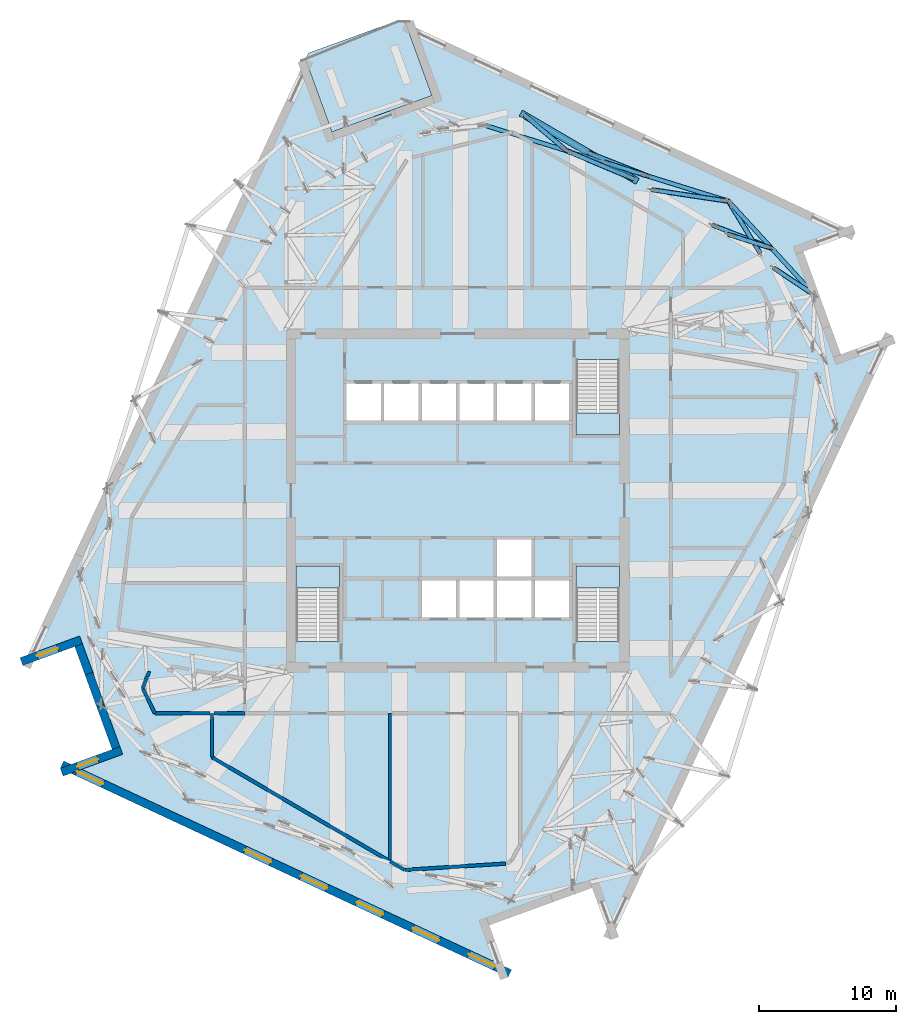
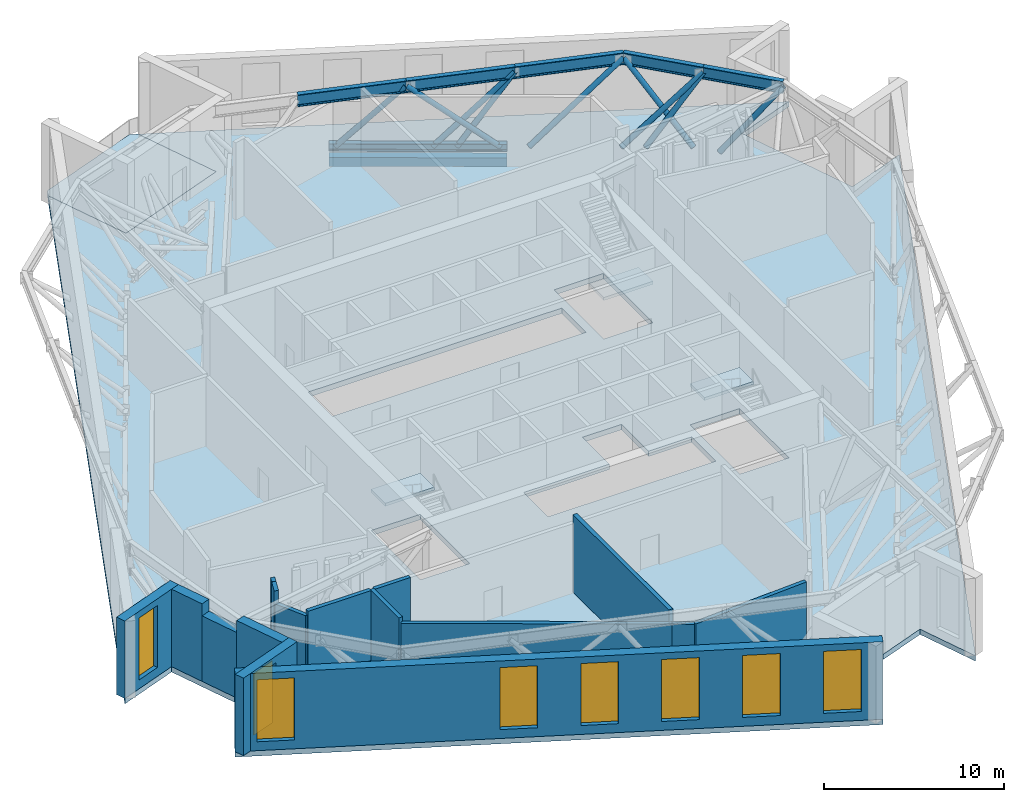
# One storey, part 4 of 15: 16 walls, 9 members, 8 windows, 7 beams, 5 slabs, 8 openings, 3 elements without a shape of their own.
"""IFC4 building model written with IfcOpenShell, lengths in metres."""

from ifc_helpers import new_model, si_unit, direction, frame, frame_2d, origin, origin_2d, place, context, subcontext, project, spatial, polyline, rectangle, hollow_circle, i_section, outline, extrude, material, layer, layer_set, material_profile, profile_set, type_object, element, fill, aggregate, save


model = new_model("IFC4")

# Units and contexts
model_context = context("Model", 3, precision=1e-05, world=origin(), true_north=direction((0.0, 1.0)))
body_context = subcontext(model_context, "Body", "Model", "MODEL_VIEW")
ifc_project = project(units=[si_unit("LENGTHUNIT", "METRE"), si_unit("AREAUNIT", "SQUARE_METRE"), si_unit("VOLUMEUNIT", "CUBIC_METRE"), si_unit("PLANEANGLEUNIT", "RADIAN"), si_unit("MASSUNIT", "GRAM", prefix="KILO")], contexts=[model_context])

# Site, building, storey
site_placement = place(None, origin())
site = spatial("IfcSite", under=ifc_project, at=site_placement, CompositionType="ELEMENT")
building_placement = place(site_placement, origin())
building = spatial("IfcBuilding", under=site, at=building_placement, Name="Dilmun Exchange Tower", CompositionType="ELEMENT")
storey_placement = place(building_placement, frame((0.0, 0.0, 290.89990234375)))
storey = spatial("IfcBuildingStorey", under=building, at=storey_placement, Name="L69", CompositionType="ELEMENT", Elevation=290.89990234375)

# Beams
ifc_material_1 = material(Name="Concrete C40/50", Category="concrete")
ifc_material_profile_1 = material_profile(ifc_material_1, rectangle(XDim=0.5, YDim=0.60009765625, at=origin_2d()), Name="500 x 600")
ifc_profile_set_1 = profile_set([ifc_material_profile_1], Name="Concrete C40/50")
beam_type_1 = type_object("IfcBeamType", Name="RC ring beam 500 x 600 C40/50", PredefinedType="SPANDREL", material=ifc_profile_set_1)
beam_1_placement = place(storey_placement, frame((13.1337890625, 23.3076171875, -0.659912109375), z_axis=(-0.863343838609, 0.504616107884, 0.0), x_axis=(-0.504616107884, -0.863343838609, 0.0)))
element("IfcBeam", 1, at=beam_1_placement, inside=storey, type_object=beam_type_1, Name="Ring beam 15", PredefinedType="SPANDREL", context=body_context, shape_type="SweptSolid", body=[
    extrude(rectangle(XDim=0.5, YDim=0.60009765625, at=origin_2d()), origin(), (0.0, 0.0, 1.0), 9.87841796875),
])
ifc_material_2 = material(Name="Steel S355", Category="steel")
ifc_material_profile_2 = material_profile(ifc_material_2, i_section(OverallWidth=0.300048828125, OverallDepth=0.5, WebThickness=0.014404296875, FlangeThickness=0.028076171875, FilletRadius=0.027099609375, at=origin_2d()), Name="HEB 500")
ifc_profile_set_2 = profile_set([ifc_material_profile_2], Name="Steel S355")
beam_type_2 = type_object("IfcBeamType", Name="belt bottom chord HEB 500", PredefinedType="BEAM", material=ifc_profile_set_2)
beam_2_placement = place(storey_placement, frame((13.1337890625, 23.3076171875, 0.25), z_axis=(-0.863343838609, 0.504616107884, 0.0), x_axis=(-0.504616107884, -0.863343838609, 0.0)))
element("IfcBeam", 2, at=beam_2_placement, inside=storey, type_object=beam_type_2, Name="Belt bottom chord 15", PredefinedType="BEAM", context=body_context, shape_type="SweptSolid", body=[
    extrude(i_section(OverallWidth=0.300048828125, OverallDepth=0.5, WebThickness=0.014404296875, FlangeThickness=0.028076171875, FilletRadius=0.027099609375, at=origin_2d()), origin(), (0.0, 0.0, 1.0), 9.87841796875),
])
ifc_material_profile_3 = material_profile(ifc_material_2, i_section(OverallWidth=0.302978515625, OverallDepth=0.81396484375, WebThickness=0.02099609375, FlangeThickness=0.0400390625, FilletRadius=0.030029296875, at=origin_2d()), Name="HEM 800")
ifc_profile_set_3 = profile_set([ifc_material_profile_3], Name="Steel S355")
beam_type_3 = type_object("IfcBeamType", Name="transfer chord HEM 800", PredefinedType="BEAM", material=ifc_profile_set_3)
for number, where, z_axis, x_axis, name in (
    (3, (26.06005859375, 14.9951171875, 4.843017578125), (-0.675555926759, 0.737308747961, 0.0), (-0.737308747961, -0.675555926759, 0.0), "Transfer chord 25"),
    (4, (22.91650390625, 18.426025390625, 4.843017578125), (-0.675555926759, 0.737308747961, 0.0), (-0.737308747961, -0.675555926759, 0.0), "Transfer chord 26"),
):
    element("IfcBeam", number, at=place(storey_placement, frame(where, z_axis=z_axis, x_axis=x_axis)), inside=storey, type_object=beam_type_3, Name=name, PredefinedType="BEAM", context=body_context, shape_type="SweptSolid", body=[
        extrude(i_section(OverallWidth=0.302978515625, OverallDepth=0.81396484375, WebThickness=0.02099609375, FlangeThickness=0.0400390625, FilletRadius=0.030029296875, at=origin_2d()), origin(), (0.0, 0.0, 1.0), 4.6533203125),
    ])
for number, where, z_axis, x_axis, name in (
    (5, (19.77294921875, 21.85693359375, 4.843017578125), (-0.954710669436, 0.297535775436, 0.0), (-0.297535775436, -0.954710669436, 0.0), "Transfer chord 27"),
    (6, (13.865478515625, 23.697998046875, 4.843017578125), (-0.954710669436, 0.297535775436, 0.0), (-0.297535775436, -0.954710669436, 0.0), "Transfer chord 28"),
):
    element("IfcBeam", number, at=place(storey_placement, frame(where, z_axis=z_axis, x_axis=x_axis)), inside=storey, type_object=beam_type_3, Name=name, PredefinedType="BEAM", context=body_context, shape_type="SweptSolid", body=[
        extrude(i_section(OverallWidth=0.302978515625, OverallDepth=0.81396484375, WebThickness=0.02099609375, FlangeThickness=0.0400390625, FilletRadius=0.030029296875, at=origin_2d()), origin(), (0.0, 0.0, 1.0), 6.187744140625),
    ])
beam_3_placement = place(storey_placement, frame((7.9580078125, 25.5390625, 4.843017578125), z_axis=(-0.95473730618, 0.297450291961, 0.0), x_axis=(-0.297450291961, -0.95473730618, 0.0)))
element("IfcBeam", 7, at=beam_3_placement, inside=storey, type_object=beam_type_3, Name="Transfer chord 29", PredefinedType="BEAM", context=body_context, shape_type="SweptSolid", body=[
    extrude(i_section(OverallWidth=0.302978515625, OverallDepth=0.81396484375, WebThickness=0.02099609375, FlangeThickness=0.0400390625, FilletRadius=0.030029296875, at=origin_2d()), origin(), (0.0, 0.0, 1.0), 6.18701171875),
])

# Members
ifc_material_profile_4 = material_profile(ifc_material_2, hollow_circle(Radius=0.161865234375, WallThickness=0.01611328125, at=origin_2d()), Name="CHS 323.9x16")
ifc_profile_set_4 = profile_set([ifc_material_profile_4], Name="Steel S355")
member_type = type_object("IfcMemberType", Name="truss diagonal CHS 323.9x16", PredefinedType="BRACE", material=ifc_profile_set_4)
member_1_placement = place(storey_placement, frame((26.06005859375, 14.9951171875, 4.843017578125), z_axis=(-0.508881259394, 0.338861582549, -0.791336016943), x_axis=(-0.554255560991, -0.832346546284, 0.0)))
element("IfcMember", 8, at=member_1_placement, inside=storey, type_object=member_type, Name="Truss diagonal 49", PredefinedType="BRACE", context=body_context, shape_type="SweptSolid", body=[
    extrude(hollow_circle(Radius=0.161865234375, WallThickness=0.01611328125, at=origin_2d()), origin(), (0.0, 0.0, 1.0), 5.80419921875),
])
member_2_placement = place(storey_placement, frame((22.91650390625, 18.426025390625, 4.843017578125), z_axis=(-0.554049104328, 0.175613971705, -0.813750160022), x_axis=(-0.302149847256, -0.953260441749, 0.0)))
element("IfcMember", 9, at=member_2_placement, inside=storey, type_object=member_type, Name="Truss diagonal 51", PredefinedType="BRACE", context=body_context, shape_type="SweptSolid", body=[
    extrude(hollow_circle(Radius=0.161865234375, WallThickness=0.01611328125, at=origin_2d()), origin(), (0.0, 0.0, 1.0), 5.644287109375),
])
member_3_placement = place(storey_placement, frame((22.91650390625, 18.426025390625, 4.843017578125), z_axis=(-0.65987202399, 0.257073500787, -0.706032667197), x_axis=(-0.363006251544, -0.93178670378, 0.0)))
element("IfcMember", 10, at=member_3_placement, inside=storey, type_object=member_type, Name="Truss diagonal 52", PredefinedType="BRACE", context=body_context, shape_type="SweptSolid", body=[
    extrude(hollow_circle(Radius=0.161865234375, WallThickness=0.01611328125, at=origin_2d()), origin(), (0.0, 0.0, 1.0), 6.50537109375),
])
member_4_placement = place(storey_placement, frame((19.77294921875, 21.85693359375, 4.843017578125), z_axis=(0.360168853559, -0.591990666198, -0.72098921494), x_axis=(0.854309605547, 0.51976446384, 0.0)))
element("IfcMember", 11, at=member_4_placement, inside=storey, type_object=member_type, Name="Truss diagonal 53", PredefinedType="BRACE", context=body_context, shape_type="SweptSolid", body=[
    extrude(hollow_circle(Radius=0.161865234375, WallThickness=0.01611328125, at=origin_2d()), origin(), (0.0, 0.0, 1.0), 6.370361328125),
])
member_5_placement = place(storey_placement, frame((19.77294921875, 21.85693359375, 4.843017578125), z_axis=(-0.76718776685, 0.114496123497, -0.631120882319), x_axis=(-0.147606565046, -0.989046157646, 0.0)))
element("IfcMember", 12, at=member_5_placement, inside=storey, type_object=member_type, Name="Truss diagonal 54", PredefinedType="BRACE", context=body_context, shape_type="SweptSolid", body=[
    extrude(hollow_circle(Radius=0.161865234375, WallThickness=0.01611328125, at=origin_2d()), origin(), (0.0, 0.0, 1.0), 7.277587890625),
])
member_6_placement = place(storey_placement, frame((13.865478515625, 23.697998046875, 4.843017578125), z_axis=(-0.55282159045, 0.178100631363, -0.814044503845), x_axis=(-0.306645771842, -0.951823707738, 0.0)))
element("IfcMember", 13, at=member_6_placement, inside=storey, type_object=member_type, Name="Truss diagonal 55", PredefinedType="BRACE", context=body_context, shape_type="SweptSolid", body=[
    extrude(hollow_circle(Radius=0.161865234375, WallThickness=0.01611328125, at=origin_2d()), origin(), (0.0, 0.0, 1.0), 5.642333984375),
])
member_7_placement = place(storey_placement, frame((13.865478515625, 23.697998046875, 4.843017578125), z_axis=(-0.65880767969, 0.259281176275, -0.706219309288), x_axis=(-0.366219898743, -0.930528336895, 0.0)))
element("IfcMember", 14, at=member_7_placement, inside=storey, type_object=member_type, Name="Truss diagonal 56", PredefinedType="BRACE", context=body_context, shape_type="SweptSolid", body=[
    extrude(hollow_circle(Radius=0.161865234375, WallThickness=0.01611328125, at=origin_2d()), origin(), (0.0, 0.0, 1.0), 6.503662109375),
])
member_8_placement = place(storey_placement, frame((7.9580078125, 25.5390625, 4.843017578125), z_axis=(-0.498834259148, 0.422359748935, -0.75682007398), x_axis=(-0.646182242942, -0.763183142441, 0.0)))
element("IfcMember", 15, at=member_8_placement, inside=storey, type_object=member_type, Name="Truss diagonal 57", PredefinedType="BRACE", context=body_context, shape_type="SweptSolid", body=[
    extrude(hollow_circle(Radius=0.161865234375, WallThickness=0.01611328125, at=origin_2d()), origin(), (0.0, 0.0, 1.0), 6.06884765625),
])
member_9_placement = place(storey_placement, frame((7.9580078125, 25.5390625, 4.843017578125), z_axis=(0.694407176955, -0.292240318444, -0.657566931095), x_axis=(0.387897290921, 0.9217026048, 0.0)))
element("IfcMember", 16, at=member_9_placement, inside=storey, type_object=member_type, Name="Truss diagonal 58", PredefinedType="BRACE", context=body_context, shape_type="SweptSolid", body=[
    extrude(hollow_circle(Radius=0.161865234375, WallThickness=0.01611328125, at=origin_2d()), origin(), (0.0, 0.0, 1.0), 6.98486328125),
])

# Stair, slab
stair_type = type_object("IfcStairType", Name="Exit stair 1500 half-turn", PredefinedType="HALF_TURN_STAIR", material=ifc_material_1)
stair_1_placement = place(storey_placement, origin())
stair_1 = element("IfcStair", 17, at=stair_1_placement, inside=storey, type_object=stair_type, Name="L69 Protected exit stair ST1", PredefinedType="HALF_TURN_STAIR")
ifc_layer_1 = layer(ifc_material_1, 0.199951171875)
ifc_layer_set_1 = layer_set([ifc_layer_1], Name="Concrete C40/50")
slab_type_1 = type_object("IfcSlabType", Name="Exit stair landing 200", PredefinedType="LANDING", material=ifc_layer_set_1)
slab_1_placement = place(storey_placement, frame((0.0, 0.0, 2.60009765625)))
slab_1 = element("IfcSlab", 18, at=slab_1_placement, type_object=slab_type_1, Name="ST1 landing 1", PredefinedType="LANDING", context=body_context, shape_type="SweptSolid", body=[
    extrude(outline(polyline([(8.64990234375, 6.3798828125), (8.64990234375, 4.800048828125), (11.800048828125, 4.800048828125), (11.800048828125, 6.3798828125), (8.64990234375, 6.3798828125)])), origin(), (0.0, 0.0, 1.0), 0.199951171875),
])
aggregate(stair_1, [slab_1])

stair_2_placement = place(storey_placement, origin())
stair_2 = element("IfcStair", 19, at=stair_2_placement, inside=storey, type_object=stair_type, Name="L69 Protected exit stair ST2", PredefinedType="HALF_TURN_STAIR")
slab_2_placement = place(storey_placement, frame((0.0, 0.0, 2.60009765625)))
slab_2 = element("IfcSlab", 20, at=slab_2_placement, type_object=slab_type_1, Name="ST2 landing 1", PredefinedType="LANDING", context=body_context, shape_type="SweptSolid", body=[
    extrude(outline(polyline([(-8.64990234375, -6.3798828125), (-8.64990234375, -4.800048828125), (-11.800048828125, -4.800048828125), (-11.800048828125, -6.3798828125), (-8.64990234375, -6.3798828125)])), origin(), (0.0, 0.0, 1.0), 0.199951171875),
])
aggregate(stair_2, [slab_2])

stair_3_placement = place(storey_placement, origin())
stair_3 = element("IfcStair", 21, at=stair_3_placement, inside=storey, type_object=stair_type, Name="L69 Protected exit stair ST3", PredefinedType="HALF_TURN_STAIR")
slab_3_placement = place(storey_placement, frame((0.0, 0.0, 2.60009765625)))
slab_3 = element("IfcSlab", 22, at=slab_3_placement, type_object=slab_type_1, Name="ST3 landing 1", PredefinedType="LANDING", context=body_context, shape_type="SweptSolid", body=[
    extrude(outline(polyline([(11.800048828125, -6.3798828125), (11.800048828125, -4.800048828125), (8.64990234375, -4.800048828125), (8.64990234375, -6.3798828125), (11.800048828125, -6.3798828125)])), origin(), (0.0, 0.0, 1.0), 0.199951171875),
])
aggregate(stair_3, [slab_3])

# Slabs
ifc_layer_2 = layer(ifc_material_1, 0.360107421875)
ifc_layer_set_2 = layer_set([ifc_layer_2], Name="Concrete C40/50")
slab_type_2 = type_object("IfcSlabType", Name="RC floor slab 360", PredefinedType="FLOOR", material=ifc_layer_set_2)
slab_4_placement = place(storey_placement, frame((0.0, 0.0, -0.35986328125)))
element("IfcSlab", 23, at=slab_4_placement, inside=storey, type_object=slab_type_2, Name="Floor slab", PredefinedType="FLOOR", context=body_context, shape_type="SweptSolid", body=[
    extrude(outline(polyline([(25.239013671875, 18.18359375), (27.97509765625, 10.666015625), (31.767333984375, 12.04638671875), (11.191650390625, -32.078369140625), (9.811279296875, -28.286376953125), (2.2939453125, -31.0224609375), (3.674072265625, -34.814697265625), (-29.03125, -19.56396484375), (-25.239013671875, -18.18359375), (-27.97509765625, -10.666015625), (-31.767333984375, -12.04638671875), (-11.125244140625, 32.220703125), (-9.194091796875, 26.914794921875), (-1.885009765625, 29.574951171875), (-3.81640625, 34.880859375), (29.03125, 19.56396484375), (25.239013671875, 18.18359375)]), holes=[polyline([(-8.64990234375, -4.800048828125), (-11.800048828125, -4.800048828125), (-11.800048828125, -10.294921875), (-8.64990234375, -10.294921875), (-8.64990234375, -4.800048828125)]), polyline([(11.800048828125, -4.800048828125), (8.64990234375, -4.800048828125), (8.64990234375, -10.294921875), (11.800048828125, -10.294921875), (11.800048828125, -4.800048828125)]), polyline([(2.875, -5.85009765625), (-2.625, -5.85009765625), (-2.625, -8.550048828125), (8.125, -8.550048828125), (8.125, -5.85009765625), (5.375, -5.85009765625), (5.375, -2.85009765625), (2.875, -2.85009765625), (2.875, -5.85009765625)]), polyline([(8.125, 5.85009765625), (8.125, 8.550048828125), (-8.125, 8.550048828125), (-8.125, 5.85009765625), (8.125, 5.85009765625)]), polyline([(8.64990234375, 10.294921875), (8.64990234375, 4.800048828125), (11.800048828125, 4.800048828125), (11.800048828125, 10.294921875), (8.64990234375, 10.294921875)])]), origin(), (0.0, 0.0, 1.0), 0.35986328125),
])
ifc_layer_3 = layer(ifc_material_1, 0.300048828125)
ifc_layer_set_3 = layer_set([ifc_layer_3], Name="Concrete C40/50")
slab_type_3 = type_object("IfcSlabType", Name="RC garden terrace slab 300", PredefinedType="FLOOR", material=ifc_layer_set_3)
slab_5_placement = place(storey_placement, frame((0.0, 0.0, -0.2998046875)))
element("IfcSlab", 24, at=slab_5_placement, inside=storey, type_object=slab_type_3, Name="Garden terrace slab", PredefinedType="FLOOR", context=body_context, shape_type="SweptSolid", body=[
    extrude(outline(polyline([(-9.194091796875, 26.914794921875), (-11.125244140625, 32.220703125), (-10.9140625, 32.673583984375), (-4.269287109375, 35.09228515625), (-3.81640625, 34.880859375), (-1.885009765625, 29.574951171875), (-9.194091796875, 26.914794921875)])), origin(), (0.0, 0.0, 1.0), 0.2998046875),
])

# Walls
ifc_material_3 = material(Name="Concrete C32/40", Category="concrete")
ifc_layer_4 = layer(ifc_material_3, 0.25)
ifc_layer_set_4 = layer_set([ifc_layer_4], Name="Concrete C32/40")
wall_type_1 = type_object("IfcWallType", Name="Plant room wall 250", PredefinedType="PARTITIONING", material=ifc_layer_set_4)
wall_1_placement = place(storey_placement, frame((-4.949951171875, -26.353515625, 0.0), z_axis=(0.0, 0.0, 1.0), x_axis=(0.86331523577, -0.504665041079, 0.0)))
element("IfcWall", 25, at=wall_1_placement, inside=storey, type_object=wall_type_1, Name="L69 plant room wall 01", PredefinedType="PARTITIONING", context=body_context, shape_type="SweptSolid", body=[
    extrude(rectangle(XDim=1.242431640625, YDim=0.25, at=frame_2d((0.62109375, 0.0))), origin(), (0.0, 0.0, 1.0), 4.416015625),
])
wall_2_placement = place(storey_placement, frame((-3.87158203125, -26.97998046875, 0.0), z_axis=(0.0, 0.0, 1.0), x_axis=(0.998058754216, 0.062279395737, 0.0)))
element("IfcWall", 26, at=wall_2_placement, inside=storey, type_object=wall_type_1, Name="L69 plant room wall 02", PredefinedType="PARTITIONING", context=body_context, shape_type="SweptSolid", body=[
    extrude(rectangle(XDim=7.377685546875, YDim=0.25, at=frame_2d((3.68896484375, 0.0))), origin(), (0.0, 0.0, 1.0), 4.416015625),
])
wall_3_placement = place(storey_placement, frame((-17.949951171875, -18.7548828125, 0.0), z_axis=(0.0, 0.0, 1.0), x_axis=(0.863332668663, -0.504635217974, 0.0)))
element("IfcWall", 27, at=wall_3_placement, inside=storey, type_object=wall_type_1, Name="L69 plant room wall 03", PredefinedType="PARTITIONING", context=body_context, shape_type="SweptSolid", body=[
    extrude(rectangle(XDim=15.052734375, YDim=0.25, at=frame_2d((7.5263671875, 0.0))), origin(), (0.0, 0.0, 1.0), 4.416015625),
])
wall_4_placement = place(storey_placement, frame((-4.949951171875, -26.202880859375, 0.0), z_axis=(0.0, 0.0, 1.0), x_axis=(0.0, 1.0, 0.0)))
element("IfcWall", 28, at=wall_4_placement, inside=storey, type_object=wall_type_1, Name="L69 plant room wall 04", PredefinedType="PARTITIONING", context=body_context, shape_type="SweptSolid", body=[
    extrude(rectangle(XDim=10.65283203125, YDim=0.25, at=frame_2d((5.326416015625, 0.0))), origin(), (0.0, 0.0, 1.0), 5.25),
])
wall_5_placement = place(storey_placement, frame((-17.949951171875, -18.7451171875, 0.0), z_axis=(0.0, 0.0, 1.0), x_axis=(0.0, 1.0, 0.0)))
element("IfcWall", 29, at=wall_5_placement, inside=storey, type_object=wall_type_1, Name="L69 plant room wall 08", PredefinedType="PARTITIONING", context=body_context, shape_type="SweptSolid", body=[
    extrude(rectangle(XDim=3.195068359375, YDim=0.25, at=frame_2d((1.59765625, 0.0))), origin(), (0.0, 0.0, 1.0), 4.72998046875),
])
wall_6_placement = place(storey_placement, frame((-23.011474609375, -13.71337890625, 0.0), z_axis=(0.0, 0.0, 1.0), x_axis=(0.435448325816, -0.900213727703, 0.0)))
element("IfcWall", 30, at=wall_6_placement, inside=storey, type_object=wall_type_1, Name="L69 plant room wall 09", PredefinedType="PARTITIONING", context=body_context, shape_type="SweptSolid", body=[
    extrude(rectangle(XDim=2.040283203125, YDim=0.25, at=frame_2d((1.02001953125, 0.0))), origin(), (0.0, 0.0, 1.0), 4.43017578125),
])
wall_7_placement = place(storey_placement, frame((-22.111572265625, -15.550048828125, 0.0), z_axis=(0.0, 0.0, 1.0), x_axis=(1.0, 0.0, 0.0)))
element("IfcWall", 31, at=wall_7_placement, inside=storey, type_object=wall_type_1, Name="L69 plant room wall 10", PredefinedType="PARTITIONING", context=body_context, shape_type="SweptSolid", body=[
    extrude(rectangle(XDim=4.031494140625, YDim=0.25, at=frame_2d((2.015625, 0.0))), origin(), (0.0, 0.0, 1.0), 4.72998046875),
])
wall_8_placement = place(storey_placement, frame((-17.820068359375, -15.550048828125, 0.0), z_axis=(0.0, 0.0, 1.0), x_axis=(1.0, 0.0, 0.0)))
element("IfcWall", 32, at=wall_8_placement, inside=storey, type_object=wall_type_1, Name="L69 plant room wall 11", PredefinedType="PARTITIONING", context=body_context, shape_type="SweptSolid", body=[
    extrude(rectangle(XDim=2.27001953125, YDim=0.25, at=frame_2d((1.135009765625, 0.0))), origin(), (0.0, 0.0, 1.0), 4.72998046875),
])
wall_9_placement = place(storey_placement, frame((-23.0087890625, -13.70654296875, 0.0), z_axis=(0.0, 0.0, 1.0), x_axis=(0.35482835686, 0.934931461214, 0.0)))
element("IfcWall", 33, at=wall_9_placement, inside=storey, type_object=wall_type_1, Name="L69 plant room wall 17", PredefinedType="PARTITIONING", context=body_context, shape_type="SweptSolid", body=[
    extrude(rectangle(XDim=0.8876953125, YDim=0.25, at=frame_2d((0.44384765625, 0.0))), origin(), (0.0, 0.0, 1.0), 5.25),
])
wall_10_placement = place(storey_placement, frame((-22.689208984375, -12.864013671875, 0.0), z_axis=(0.0, 0.0, 1.0), x_axis=(0.354513380096, 0.935050941571, 0.0)))
element("IfcWall", 34, at=wall_10_placement, inside=storey, type_object=wall_type_1, Name="L69 plant room wall 23", PredefinedType="PARTITIONING", context=body_context, shape_type="SweptSolid", body=[
    extrude(rectangle(XDim=0.41796875, YDim=0.25, at=frame_2d((0.208984375, 0.0))), origin(), (0.0, 0.0, 1.0), 5.25),
])

# Wall, opening, window
ifc_material_4 = material(Name="Precast concrete C50/60", Category="concrete")
ifc_layer_5 = layer(ifc_material_4, 0.60009765625)
ifc_layer_set_5 = layer_set([ifc_layer_5], Name="Precast concrete C50/60")
wall_type_2 = type_object("IfcWallType", Name="Precast stone-clad wall 600", PredefinedType="STANDARD", material=ifc_layer_set_5)
wall_11_placement = place(storey_placement, frame((-31.8701171875, -11.764404296875, 0.0), z_axis=(0.0, 0.0, 1.0), x_axis=(0.939698052097, 0.342005220552, 0.0)))
wall_11 = element("IfcWall", 35, at=wall_11_placement, inside=storey, type_object=wall_type_2, Name="Facade wall L69-04", PredefinedType="STANDARD", context=body_context, shape_type="SweptSolid", body=[
    extrude(rectangle(XDim=4.6357421875, YDim=0.60009765625, at=frame_2d((2.31787109375, 0.0))), origin(), (0.0, 0.0, 1.0), 5.25),
])
opening_1_placement = place(wall_11_placement, frame((1.2177734375, 0.0, 0.60009765625)))
opening_1 = element("IfcOpeningElement", 36, at=opening_1_placement, cuts=wall_11, Name="Opening LV160-420", PredefinedType="OPENING", context=body_context, shape_type="SweptSolid", body=[
    extrude(rectangle(XDim=1.60009765625, YDim=4.199951171875, at=frame_2d((0.800048828125, 2.10009765625))), frame((0.0, 0.31005859375, 0.0), z_axis=(0.0, -1.0, 0.0), x_axis=(1.0, 0.0, 0.0)), (0.0, 0.0, 1.0), 0.6201171875),
])
ifc_material_5 = material(Name="Anodised aluminium louvre blades with sand trap", Category="aluminium")
window_type_1 = type_object("IfcWindowType", Name="Plant louvre 1600 x 4200", PartitioningType="SINGLE_PANEL", PredefinedType="USERDEFINED", material=ifc_material_5)
window_1_placement = place(opening_1_placement, origin())
window_1 = element("IfcWindow", 37, at=window_1_placement, inside=storey, type_object=window_type_1, Name="Plant louvre 5.1", ObjectType="LOUVRE", OverallHeight=4.199951171875, OverallWidth=1.60009765625, PartitioningType="SINGLE_PANEL", PredefinedType="USERDEFINED", context=body_context, shape_type="SweptSolid", body=[
    extrude(rectangle(XDim=1.60009765625, YDim=4.199951171875, at=frame_2d((0.800048828125, 2.10009765625))), frame((0.0, 0.030029296875, 0.0), z_axis=(0.0, -1.0, 0.0), x_axis=(1.0, 0.0, 0.0)), (0.0, 0.0, 1.0), 0.06005859375),
])
fill(opening_1, window_1)

# Walls
wall_12_placement = place(storey_placement, frame((-27.693359375, -10.5634765625, 0.0), z_axis=(0.0, 0.0, 1.0), x_axis=(0.342035108526, -0.939687173763, 0.0)))
element("IfcWall", 38, at=wall_12_placement, inside=storey, type_object=wall_type_2, Name="Facade wall L69-05a", PredefinedType="STANDARD", context=body_context, shape_type="SweptSolid", body=[
    extrude(rectangle(XDim=2.21484375, YDim=0.60009765625, at=frame_2d((1.107421875, 0.0))), origin(), (0.0, 0.0, 1.0), 5.25),
])
wall_13_placement = place(storey_placement, frame((-26.935791015625, -12.644775390625, 0.0), z_axis=(0.0, 0.0, 1.0), x_axis=(0.342071316104, -0.93967399384, 0.0)))
element("IfcWall", 39, at=wall_13_placement, inside=storey, type_object=wall_type_2, Name="Facade wall L69-05b", PredefinedType="STANDARD", context=body_context, shape_type="SweptSolid", body=[
    extrude(rectangle(XDim=2.508056640625, YDim=0.60009765625, at=frame_2d((1.25390625, 0.0))), origin(), (0.0, 0.0, 1.0), 4.43603515625),
])
wall_14_placement = place(storey_placement, frame((-26.077880859375, -15.00146484375, 0.0), z_axis=(0.0, 0.0, 1.0), x_axis=(0.342012214298, -0.939695506678, 0.0)))
element("IfcWall", 40, at=wall_14_placement, inside=storey, type_object=wall_type_2, Name="Facade wall L69-05c", PredefinedType="STANDARD", context=body_context, shape_type="SweptSolid", body=[
    extrude(rectangle(XDim=3.277099609375, YDim=0.60009765625, at=frame_2d((1.638671875, 0.0))), origin(), (0.0, 0.0, 1.0), 5.25),
])

# Wall, opening, window
wall_15_placement = place(storey_placement, frame((-24.572509765625, -18.26025390625, 0.0), z_axis=(0.0, 0.0, 1.0), x_axis=(-0.939698052097, -0.342005220552, 0.0)))
wall_15 = element("IfcWall", 41, at=wall_15_placement, inside=storey, type_object=wall_type_2, Name="Facade wall L69-06", PredefinedType="STANDARD", context=body_context, shape_type="SweptSolid", body=[
    extrude(rectangle(XDim=4.6357421875, YDim=0.60009765625, at=frame_2d((2.31787109375, 0.0))), origin(), (0.0, 0.0, 1.0), 5.25),
])
opening_2_placement = place(wall_15_placement, frame((1.81787109375, 0.0, 0.60009765625)))
opening_2 = element("IfcOpeningElement", 42, at=opening_2_placement, cuts=wall_15, Name="Opening LV160-420", PredefinedType="OPENING", context=body_context, shape_type="SweptSolid", body=[
    extrude(rectangle(XDim=1.60009765625, YDim=4.199951171875, at=frame_2d((0.800048828125, 2.10009765625))), frame((0.0, 0.31005859375, 0.0), z_axis=(0.0, -1.0, 0.0), x_axis=(1.0, 0.0, 0.0)), (0.0, 0.0, 1.0), 0.6201171875),
])
window_2_placement = place(opening_2_placement, origin())
window_2 = element("IfcWindow", 43, at=window_2_placement, inside=storey, type_object=window_type_1, Name="Plant louvre 7.1", ObjectType="LOUVRE", OverallHeight=4.199951171875, OverallWidth=1.60009765625, PartitioningType="SINGLE_PANEL", PredefinedType="USERDEFINED", context=body_context, shape_type="SweptSolid", body=[
    extrude(rectangle(XDim=1.60009765625, YDim=4.199951171875, at=frame_2d((0.800048828125, 2.10009765625))), frame((0.0, 0.030029296875, 0.0), z_axis=(0.0, -1.0, 0.0), x_axis=(1.0, 0.0, 0.0)), (0.0, 0.0, 1.0), 0.06005859375),
])
fill(opening_2, window_2)

# Wall, openings, windows
wall_16_placement = place(storey_placement, frame((-28.904296875, -19.2919921875, 0.0), z_axis=(0.0, 0.0, 1.0), x_axis=(0.906306682829, -0.422620629713, 0.0)))
wall_16 = element("IfcWall", 44, at=wall_16_placement, inside=storey, type_object=wall_type_2, Name="Facade wall L69-07", PredefinedType="STANDARD", context=body_context, shape_type="SweptSolid", body=[
    extrude(rectangle(XDim=36.086181640625, YDim=0.60009765625, at=frame_2d((18.04296875, 0.0))), origin(), (0.0, 0.0, 1.0), 5.25),
])
opening_3_placement = place(wall_16_placement, frame((1.205322265625, 0.0, 0.60009765625)))
opening_3 = element("IfcOpeningElement", 45, at=opening_3_placement, cuts=wall_16, Name="Opening LV210-420", PredefinedType="OPENING", context=body_context, shape_type="SweptSolid", body=[
    extrude(rectangle(XDim=2.10009765625, YDim=4.199951171875, at=frame_2d((1.050048828125, 2.10009765625))), frame((0.0, 0.31005859375, 0.0), z_axis=(0.0, -1.0, 0.0), x_axis=(1.0, 0.0, 0.0)), (0.0, 0.0, 1.0), 0.6201171875),
])
opening_4_placement = place(wall_16_placement, frame((14.73779296875, 0.0, 0.60009765625)))
opening_4 = element("IfcOpeningElement", 46, at=opening_4_placement, cuts=wall_16, Name="Opening LV210-420", PredefinedType="OPENING", context=body_context, shape_type="SweptSolid", body=[
    extrude(rectangle(XDim=2.10009765625, YDim=4.199951171875, at=frame_2d((1.050048828125, 2.10009765625))), frame((0.0, 0.31005859375, 0.0), z_axis=(0.0, -1.0, 0.0), x_axis=(1.0, 0.0, 0.0)), (0.0, 0.0, 1.0), 0.6201171875),
])
opening_5_placement = place(wall_16_placement, frame((19.24853515625, 0.0, 0.60009765625)))
opening_5 = element("IfcOpeningElement", 47, at=opening_5_placement, cuts=wall_16, Name="Opening LV210-420", PredefinedType="OPENING", context=body_context, shape_type="SweptSolid", body=[
    extrude(rectangle(XDim=2.10009765625, YDim=4.199951171875, at=frame_2d((1.050048828125, 2.10009765625))), frame((0.0, 0.31005859375, 0.0), z_axis=(0.0, -1.0, 0.0), x_axis=(1.0, 0.0, 0.0)), (0.0, 0.0, 1.0), 0.6201171875),
])
opening_6_placement = place(wall_16_placement, frame((23.75927734375, 0.0, 0.60009765625)))
opening_6 = element("IfcOpeningElement", 48, at=opening_6_placement, cuts=wall_16, Name="Opening LV210-420", PredefinedType="OPENING", context=body_context, shape_type="SweptSolid", body=[
    extrude(rectangle(XDim=2.10009765625, YDim=4.199951171875, at=frame_2d((1.050048828125, 2.10009765625))), frame((0.0, 0.31005859375, 0.0), z_axis=(0.0, -1.0, 0.0), x_axis=(1.0, 0.0, 0.0)), (0.0, 0.0, 1.0), 0.6201171875),
])
opening_7_placement = place(wall_16_placement, frame((28.27001953125, 0.0, 0.60009765625)))
opening_7 = element("IfcOpeningElement", 49, at=opening_7_placement, cuts=wall_16, Name="Opening LV210-420", PredefinedType="OPENING", context=body_context, shape_type="SweptSolid", body=[
    extrude(rectangle(XDim=2.10009765625, YDim=4.199951171875, at=frame_2d((1.050048828125, 2.10009765625))), frame((0.0, 0.31005859375, 0.0), z_axis=(0.0, -1.0, 0.0), x_axis=(1.0, 0.0, 0.0)), (0.0, 0.0, 1.0), 0.6201171875),
])
opening_8_placement = place(wall_16_placement, frame((32.781005859375, 0.0, 0.60009765625)))
opening_8 = element("IfcOpeningElement", 50, at=opening_8_placement, cuts=wall_16, Name="Opening LV210-420", PredefinedType="OPENING", context=body_context, shape_type="SweptSolid", body=[
    extrude(rectangle(XDim=2.10009765625, YDim=4.199951171875, at=frame_2d((1.050048828125, 2.10009765625))), frame((0.0, 0.31005859375, 0.0), z_axis=(0.0, -1.0, 0.0), x_axis=(1.0, 0.0, 0.0)), (0.0, 0.0, 1.0), 0.6201171875),
])
window_type_2 = type_object("IfcWindowType", Name="Plant louvre 2100 x 4200", PartitioningType="SINGLE_PANEL", PredefinedType="USERDEFINED", material=ifc_material_5)
window_3_placement = place(opening_3_placement, origin())
window_3 = element("IfcWindow", 51, at=window_3_placement, inside=storey, type_object=window_type_2, Name="Plant louvre 8.1", ObjectType="LOUVRE", OverallHeight=4.199951171875, OverallWidth=2.10009765625, PartitioningType="SINGLE_PANEL", PredefinedType="USERDEFINED", context=body_context, shape_type="SweptSolid", body=[
    extrude(rectangle(XDim=2.10009765625, YDim=4.199951171875, at=frame_2d((1.050048828125, 2.10009765625))), frame((0.0, 0.030029296875, 0.0), z_axis=(0.0, -1.0, 0.0), x_axis=(1.0, 0.0, 0.0)), (0.0, 0.0, 1.0), 0.06005859375),
])
fill(opening_3, window_3)
window_4_placement = place(opening_4_placement, origin())
window_4 = element("IfcWindow", 52, at=window_4_placement, inside=storey, type_object=window_type_2, Name="Plant louvre 8.4", ObjectType="LOUVRE", OverallHeight=4.199951171875, OverallWidth=2.10009765625, PartitioningType="SINGLE_PANEL", PredefinedType="USERDEFINED", context=body_context, shape_type="SweptSolid", body=[
    extrude(rectangle(XDim=2.10009765625, YDim=4.199951171875, at=frame_2d((1.050048828125, 2.10009765625))), frame((0.0, 0.030029296875, 0.0), z_axis=(0.0, -1.0, 0.0), x_axis=(1.0, 0.0, 0.0)), (0.0, 0.0, 1.0), 0.06005859375),
])
fill(opening_4, window_4)
window_5_placement = place(opening_5_placement, origin())
window_5 = element("IfcWindow", 53, at=window_5_placement, inside=storey, type_object=window_type_2, Name="Plant louvre 8.5", ObjectType="LOUVRE", OverallHeight=4.199951171875, OverallWidth=2.10009765625, PartitioningType="SINGLE_PANEL", PredefinedType="USERDEFINED", context=body_context, shape_type="SweptSolid", body=[
    extrude(rectangle(XDim=2.10009765625, YDim=4.199951171875, at=frame_2d((1.050048828125, 2.10009765625))), frame((0.0, 0.030029296875, 0.0), z_axis=(0.0, -1.0, 0.0), x_axis=(1.0, 0.0, 0.0)), (0.0, 0.0, 1.0), 0.06005859375),
])
fill(opening_5, window_5)
window_6_placement = place(opening_6_placement, origin())
window_6 = element("IfcWindow", 54, at=window_6_placement, inside=storey, type_object=window_type_2, Name="Plant louvre 8.6", ObjectType="LOUVRE", OverallHeight=4.199951171875, OverallWidth=2.10009765625, PartitioningType="SINGLE_PANEL", PredefinedType="USERDEFINED", context=body_context, shape_type="SweptSolid", body=[
    extrude(rectangle(XDim=2.10009765625, YDim=4.199951171875, at=frame_2d((1.050048828125, 2.10009765625))), frame((0.0, 0.030029296875, 0.0), z_axis=(0.0, -1.0, 0.0), x_axis=(1.0, 0.0, 0.0)), (0.0, 0.0, 1.0), 0.06005859375),
])
fill(opening_6, window_6)
window_7_placement = place(opening_7_placement, origin())
window_7 = element("IfcWindow", 55, at=window_7_placement, inside=storey, type_object=window_type_2, Name="Plant louvre 8.7", ObjectType="LOUVRE", OverallHeight=4.199951171875, OverallWidth=2.10009765625, PartitioningType="SINGLE_PANEL", PredefinedType="USERDEFINED", context=body_context, shape_type="SweptSolid", body=[
    extrude(rectangle(XDim=2.10009765625, YDim=4.199951171875, at=frame_2d((1.050048828125, 2.10009765625))), frame((0.0, 0.030029296875, 0.0), z_axis=(0.0, -1.0, 0.0), x_axis=(1.0, 0.0, 0.0)), (0.0, 0.0, 1.0), 0.06005859375),
])
fill(opening_7, window_7)
window_8_placement = place(opening_8_placement, origin())
window_8 = element("IfcWindow", 56, at=window_8_placement, inside=storey, type_object=window_type_2, Name="Plant louvre 8.8", ObjectType="LOUVRE", OverallHeight=4.199951171875, OverallWidth=2.10009765625, PartitioningType="SINGLE_PANEL", PredefinedType="USERDEFINED", context=body_context, shape_type="SweptSolid", body=[
    extrude(rectangle(XDim=2.10009765625, YDim=4.199951171875, at=frame_2d((1.050048828125, 2.10009765625))), frame((0.0, 0.030029296875, 0.0), z_axis=(0.0, -1.0, 0.0), x_axis=(1.0, 0.0, 0.0)), (0.0, 0.0, 1.0), 0.06005859375),
])
fill(opening_8, window_8)

save(model, "model.ifc")
